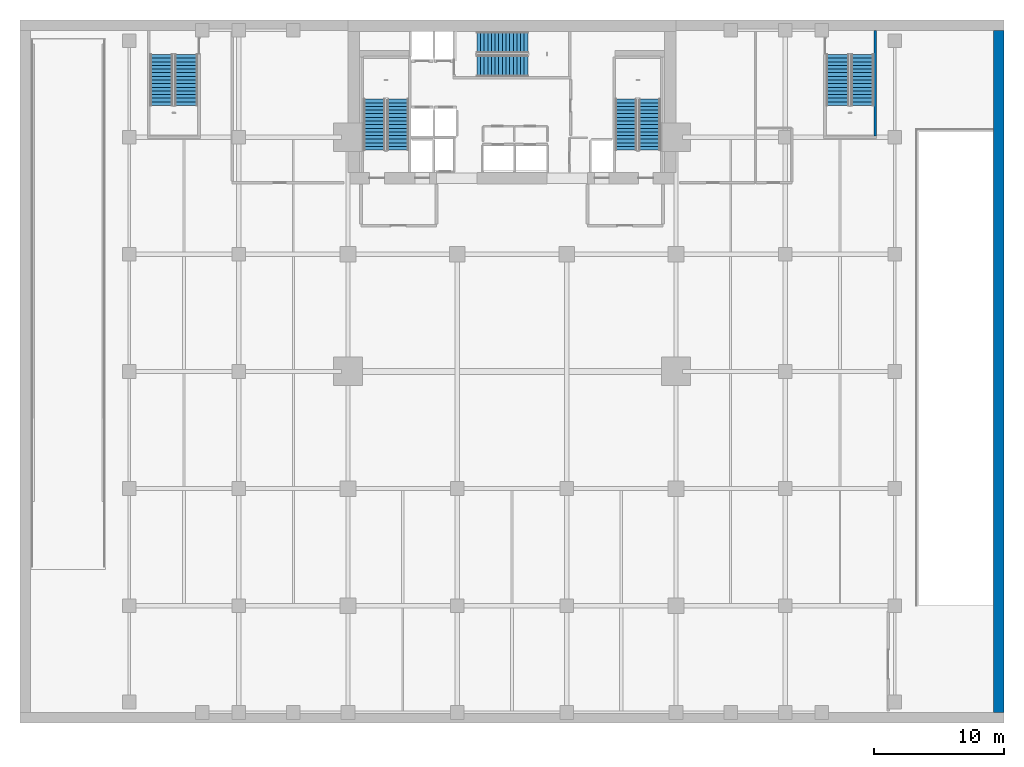
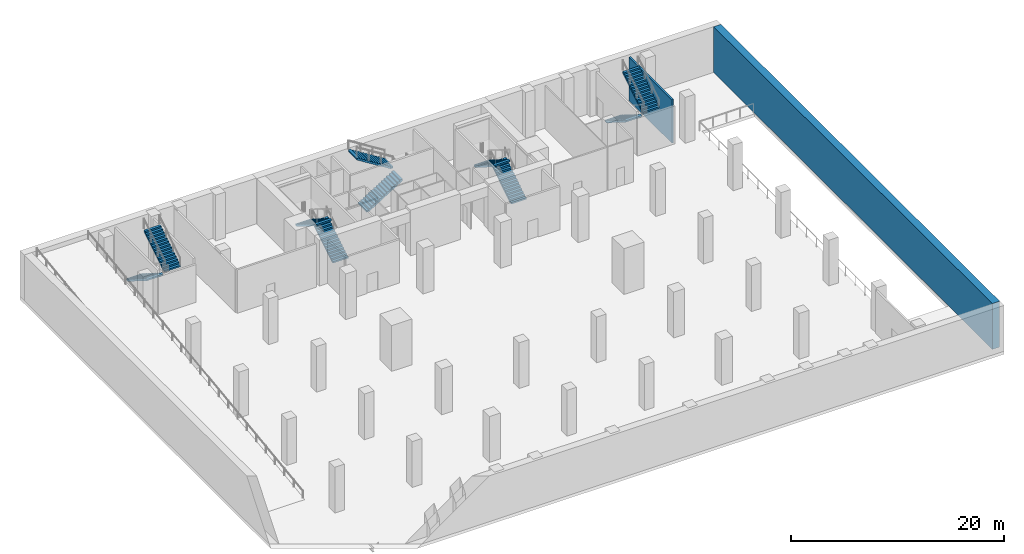
# One storey, part 6 of 10: 10 stair flights, 2 walls, 5 elements without a shape of their own.
"""IFC4 building model written with IfcOpenShell, lengths in metres."""

from ifc_helpers import new_model, si_unit, direction, frame, frame_2d, origin, place, context, subcontext, project, spatial, polyline, rectangle, outline, extrude, material, layer, layer_set, type_object, element, aggregate, save


model = new_model("IFC4")

# Units and contexts
model_context = context("Model", 3, precision=1e-05, world=origin(), true_north=direction((0.0, 1.0)))
body_context = subcontext(model_context, "Body", "Model", "MODEL_VIEW")
ifc_project = project(units=[si_unit("LENGTHUNIT", "METRE"), si_unit("AREAUNIT", "SQUARE_METRE"), si_unit("VOLUMEUNIT", "CUBIC_METRE"), si_unit("PLANEANGLEUNIT", "RADIAN"), si_unit("MASSUNIT", "GRAM", prefix="KILO")], contexts=[model_context])

# Site, building, storey
site_placement = place(None, origin())
site = spatial("IfcSite", under=ifc_project, at=site_placement, CompositionType="ELEMENT")
building_placement = place(site_placement, origin())
building = spatial("IfcBuilding", under=site, at=building_placement, Name="Maruvema Waterfront Hotel and Observation Tower", CompositionType="ELEMENT")
storey_placement = place(building_placement, frame((0.0, 0.0, -5.25)))
storey = spatial("IfcBuildingStorey", under=building, at=storey_placement, Name="B01", CompositionType="ELEMENT", Elevation=-5.25)

# Walls
ifc_material_1 = material(Name="Concrete C60/75", Category="concrete")
ifc_layer_1 = layer(ifc_material_1, 0.800048828125, Name="Basement Retaining Diaphragm Wall 800 mm")
ifc_layer_set_1 = layer_set([ifc_layer_1], Name="Concrete C60/75")
wall_type_1 = type_object("IfcWallType", Name="Basement Retaining Diaphragm Wall 800 mm", PredefinedType="USERDEFINED", material=ifc_layer_set_1)
wall_1_placement = place(storey_placement, frame((75.199951171875, 0.800048828125, 0.0), z_axis=(0.0, 0.0, 1.0), x_axis=(0.0, 1.0, 0.0)))
element("IfcWall", 1, at=wall_1_placement, inside=storey, type_object=wall_type_1, Name="B01 East Retaining Diaphragm Wall 800 mm", ObjectType="RETAINING WALL", PredefinedType="USERDEFINED", context=body_context, shape_type="SweptSolid", body=[
    extrude(rectangle(XDim=52.39990234375, YDim=0.800048828125, at=frame_2d((26.199951171875, 0.0))), origin(), (0.0, 0.0, 1.0), 5.25),
])
ifc_material_2 = material(Name="Precast concrete C45/55", Category="concrete")
ifc_layer_2 = layer(ifc_material_2, 0.199951171875, Name="Core Shaft and Stairwell Enclosure Wall 200 mm")
ifc_layer_set_2 = layer_set([ifc_layer_2], Name="Precast concrete C45/55")
wall_type_2 = type_object("IfcWallType", Name="Core Shaft and Stairwell Enclosure Wall 200 mm", PredefinedType="SOLIDWALL", material=ifc_layer_set_2)
wall_2_placement = place(storey_placement, frame((65.699951171875, 45.10009765625, 0.0), z_axis=(0.0, 0.0, 1.0), x_axis=(0.0, 1.0, 0.0)))
element("IfcWall", 2, at=wall_2_placement, inside=storey, type_object=wall_type_2, Name="B01 Stairwell ST-05 Shaft Wall", PredefinedType="SOLIDWALL", context=body_context, shape_type="SweptSolid", body=[
    extrude(rectangle(XDim=8.099853515625, YDim=0.199951171875, at=frame_2d((4.0498046875, 0.0))), origin(), (0.0, 0.0, 1.0), 4.969970703125),
])

# Stair, stair flights
ifc_material_3 = material(Name="Concrete C50/60", Category="concrete")
stair_type_1 = type_object("IfcStairType", Name="Dogleg Exit Stair 1650 mm (30R x 175.0 mm)", PredefinedType="HALF_TURN_STAIR", material=ifc_material_3)
stair_1_placement = place(storey_placement, origin())
stair_1 = element("IfcStair", 3, at=stair_1_placement, inside=storey, type_object=stair_type_1, Name="B01 ST-01", PredefinedType="HALF_TURN_STAIR")
ifc_material_4 = material(Name="Concrete C50/60", Category="concrete")
stair_flight_type_1 = type_object("IfcStairFlightType", Name="Reinforced Concrete Stair Flight 1650 mm (15R x 175.0 mm)", PredefinedType="STRAIGHT", material=ifc_material_4)
stair_flight_1_placement = place(storey_placement, frame((29.02490234375, 44.0, 0.0), z_axis=(0.0, 0.0, 1.0), x_axis=(0.0, 1.0, 0.0)))
stair_flight_1 = element("IfcStairFlight", 4, at=stair_flight_1_placement, type_object=stair_flight_type_1, Name="ST-01 flight 1", NumberOfRisers=15, NumberOfTreads=14, PredefinedType="STRAIGHT", RiserHeight=0.175, TreadLength=0.28, context=body_context, shape_type="SweptSolid", body=[
    extrude(outline(polyline([(0.0, 0.0), (0.0, 0.175048828125), (0.280029296875, 0.175048828125), (0.280029296875, 0.35009765625), (0.56005859375, 0.35009765625), (0.56005859375, 0.52490234375), (0.840087890625, 0.52490234375), (0.840087890625, 0.699951171875), (1.1201171875, 0.699951171875), (1.1201171875, 0.875), (1.39990234375, 0.875), (1.39990234375, 1.050048828125), (1.679931640625, 1.050048828125), (1.679931640625, 1.22509765625), (1.9599609375, 1.22509765625), (1.9599609375, 1.39990234375), (2.239990234375, 1.39990234375), (2.239990234375, 1.574951171875), (2.52001953125, 1.574951171875), (2.52001953125, 1.75), (2.800048828125, 1.75), (2.800048828125, 1.925048828125), (3.080078125, 1.925048828125), (3.080078125, 2.10009765625), (3.360107421875, 2.10009765625), (3.360107421875, 2.27490234375), (3.639892578125, 2.27490234375), (3.639892578125, 2.449951171875), (3.919921875, 2.449951171875), (3.919921875, 2.625), (3.919921875, 2.273193359375), (0.28271484375, 0.0), (0.0, 0.0)])), frame((0.0, 0.824951171875, 0.0), z_axis=(0.0, -1.0, 0.0), x_axis=(1.0, 0.0, 0.0)), (0.0, 0.0, 1.0), 1.64990234375),
])
stair_flight_2_placement = place(storey_placement, frame((27.22509765625, 47.919921875, 2.625), z_axis=(0.0, 0.0, 1.0), x_axis=(0.0, -1.0, 0.0)))
stair_flight_2 = element("IfcStairFlight", 5, at=stair_flight_2_placement, type_object=stair_flight_type_1, Name="ST-01 flight 2", NumberOfRisers=15, NumberOfTreads=14, PredefinedType="STRAIGHT", RiserHeight=0.175, TreadLength=0.28, context=body_context, shape_type="SweptSolid", body=[
    extrude(outline(polyline([(0.0, 0.0), (0.0, 0.175048828125), (0.280029296875, 0.175048828125), (0.280029296875, 0.35009765625), (0.56005859375, 0.35009765625), (0.56005859375, 0.52490234375), (0.840087890625, 0.52490234375), (0.840087890625, 0.699951171875), (1.1201171875, 0.699951171875), (1.1201171875, 0.875), (1.39990234375, 0.875), (1.39990234375, 1.050048828125), (1.679931640625, 1.050048828125), (1.679931640625, 1.22509765625), (1.9599609375, 1.22509765625), (1.9599609375, 1.39990234375), (2.239990234375, 1.39990234375), (2.239990234375, 1.574951171875), (2.52001953125, 1.574951171875), (2.52001953125, 1.75), (2.800048828125, 1.75), (2.800048828125, 1.925048828125), (3.080078125, 1.925048828125), (3.080078125, 2.10009765625), (3.360107421875, 2.10009765625), (3.360107421875, 2.27490234375), (3.639892578125, 2.27490234375), (3.639892578125, 2.449951171875), (3.919921875, 2.449951171875), (3.919921875, 2.625), (3.919921875, 2.273193359375), (0.28271484375, 0.0), (0.0, 0.0)])), frame((0.0, 0.824951171875, 0.0), z_axis=(0.0, -1.0, 0.0), x_axis=(1.0, 0.0, 0.0)), (0.0, 0.0, 1.0), 1.64990234375),
])
aggregate(stair_1, [stair_flight_1, stair_flight_2])

stair_2_placement = place(storey_placement, origin())
stair_2 = element("IfcStair", 6, at=stair_2_placement, inside=storey, type_object=stair_type_1, Name="B01 ST-02", PredefinedType="HALF_TURN_STAIR")
stair_flight_3_placement = place(storey_placement, frame((35.10009765625, 50.47509765625, 0.0), z_axis=(0.0, 0.0, 1.0), x_axis=(1.0, 0.0, 0.0)))
stair_flight_3 = element("IfcStairFlight", 7, at=stair_flight_3_placement, type_object=stair_flight_type_1, Name="ST-02 flight 1", NumberOfRisers=15, NumberOfTreads=14, PredefinedType="STRAIGHT", RiserHeight=0.175, TreadLength=0.28, context=body_context, shape_type="SweptSolid", body=[
    extrude(outline(polyline([(0.0, 0.0), (0.0, 0.175048828125), (0.280029296875, 0.175048828125), (0.280029296875, 0.35009765625), (0.56005859375, 0.35009765625), (0.56005859375, 0.52490234375), (0.840087890625, 0.52490234375), (0.840087890625, 0.699951171875), (1.1201171875, 0.699951171875), (1.1201171875, 0.875), (1.39990234375, 0.875), (1.39990234375, 1.050048828125), (1.679931640625, 1.050048828125), (1.679931640625, 1.22509765625), (1.9599609375, 1.22509765625), (1.9599609375, 1.39990234375), (2.239990234375, 1.39990234375), (2.239990234375, 1.574951171875), (2.52001953125, 1.574951171875), (2.52001953125, 1.75), (2.800048828125, 1.75), (2.800048828125, 1.925048828125), (3.080078125, 1.925048828125), (3.080078125, 2.10009765625), (3.360107421875, 2.10009765625), (3.360107421875, 2.27490234375), (3.639892578125, 2.27490234375), (3.639892578125, 2.449951171875), (3.919921875, 2.449951171875), (3.919921875, 2.625), (3.919921875, 2.273193359375), (0.28271484375, 0.0), (0.0, 0.0)])), frame((0.0, 0.824951171875, 0.0), z_axis=(0.0, -1.0, 0.0), x_axis=(1.0, 0.0, 0.0)), (0.0, 0.0, 1.0), 1.64990234375),
])
stair_flight_4_placement = place(storey_placement, frame((39.02001953125, 52.27490234375, 2.625), z_axis=(0.0, 0.0, 1.0), x_axis=(-1.0, 0.0, 0.0)))
stair_flight_4 = element("IfcStairFlight", 8, at=stair_flight_4_placement, type_object=stair_flight_type_1, Name="ST-02 flight 2", NumberOfRisers=15, NumberOfTreads=14, PredefinedType="STRAIGHT", RiserHeight=0.175, TreadLength=0.28, context=body_context, shape_type="SweptSolid", body=[
    extrude(outline(polyline([(0.0, 0.0), (0.0, 0.175048828125), (0.280029296875, 0.175048828125), (0.280029296875, 0.35009765625), (0.56005859375, 0.35009765625), (0.56005859375, 0.52490234375), (0.840087890625, 0.52490234375), (0.840087890625, 0.699951171875), (1.1201171875, 0.699951171875), (1.1201171875, 0.875), (1.39990234375, 0.875), (1.39990234375, 1.050048828125), (1.679931640625, 1.050048828125), (1.679931640625, 1.22509765625), (1.9599609375, 1.22509765625), (1.9599609375, 1.39990234375), (2.239990234375, 1.39990234375), (2.239990234375, 1.574951171875), (2.52001953125, 1.574951171875), (2.52001953125, 1.75), (2.800048828125, 1.75), (2.800048828125, 1.925048828125), (3.080078125, 1.925048828125), (3.080078125, 2.10009765625), (3.360107421875, 2.10009765625), (3.360107421875, 2.27490234375), (3.639892578125, 2.27490234375), (3.639892578125, 2.449951171875), (3.919921875, 2.449951171875), (3.919921875, 2.625), (3.919921875, 2.273193359375), (0.28271484375, 0.0), (0.0, 0.0)])), frame((0.0, 0.824951171875, 0.0), z_axis=(0.0, -1.0, 0.0), x_axis=(1.0, 0.0, 0.0)), (0.0, 0.0, 1.0), 1.64990234375),
])
aggregate(stair_2, [stair_flight_3, stair_flight_4])

stair_3_placement = place(storey_placement, origin())
stair_3 = element("IfcStair", 9, at=stair_3_placement, inside=storey, type_object=stair_type_1, Name="B01 ST-03", PredefinedType="HALF_TURN_STAIR")
stair_flight_5_placement = place(storey_placement, frame((48.375, 44.0, 0.0), z_axis=(0.0, 0.0, 1.0), x_axis=(0.0, 1.0, 0.0)))
stair_flight_5 = element("IfcStairFlight", 10, at=stair_flight_5_placement, type_object=stair_flight_type_1, Name="ST-03 flight 1", NumberOfRisers=15, NumberOfTreads=14, PredefinedType="STRAIGHT", RiserHeight=0.175, TreadLength=0.28, context=body_context, shape_type="SweptSolid", body=[
    extrude(outline(polyline([(0.0, 0.0), (0.0, 0.175048828125), (0.280029296875, 0.175048828125), (0.280029296875, 0.35009765625), (0.56005859375, 0.35009765625), (0.56005859375, 0.52490234375), (0.840087890625, 0.52490234375), (0.840087890625, 0.699951171875), (1.1201171875, 0.699951171875), (1.1201171875, 0.875), (1.39990234375, 0.875), (1.39990234375, 1.050048828125), (1.679931640625, 1.050048828125), (1.679931640625, 1.22509765625), (1.9599609375, 1.22509765625), (1.9599609375, 1.39990234375), (2.239990234375, 1.39990234375), (2.239990234375, 1.574951171875), (2.52001953125, 1.574951171875), (2.52001953125, 1.75), (2.800048828125, 1.75), (2.800048828125, 1.925048828125), (3.080078125, 1.925048828125), (3.080078125, 2.10009765625), (3.360107421875, 2.10009765625), (3.360107421875, 2.27490234375), (3.639892578125, 2.27490234375), (3.639892578125, 2.449951171875), (3.919921875, 2.449951171875), (3.919921875, 2.625), (3.919921875, 2.273193359375), (0.28271484375, 0.0), (0.0, 0.0)])), frame((0.0, 0.824951171875, 0.0), z_axis=(0.0, -1.0, 0.0), x_axis=(1.0, 0.0, 0.0)), (0.0, 0.0, 1.0), 1.64990234375),
])
stair_flight_6_placement = place(storey_placement, frame((46.574951171875, 47.919921875, 2.625), z_axis=(0.0, 0.0, 1.0), x_axis=(0.0, -1.0, 0.0)))
stair_flight_6 = element("IfcStairFlight", 11, at=stair_flight_6_placement, type_object=stair_flight_type_1, Name="ST-03 flight 2", NumberOfRisers=15, NumberOfTreads=14, PredefinedType="STRAIGHT", RiserHeight=0.175, TreadLength=0.28, context=body_context, shape_type="SweptSolid", body=[
    extrude(outline(polyline([(0.0, 0.0), (0.0, 0.175048828125), (0.280029296875, 0.175048828125), (0.280029296875, 0.35009765625), (0.56005859375, 0.35009765625), (0.56005859375, 0.52490234375), (0.840087890625, 0.52490234375), (0.840087890625, 0.699951171875), (1.1201171875, 0.699951171875), (1.1201171875, 0.875), (1.39990234375, 0.875), (1.39990234375, 1.050048828125), (1.679931640625, 1.050048828125), (1.679931640625, 1.22509765625), (1.9599609375, 1.22509765625), (1.9599609375, 1.39990234375), (2.239990234375, 1.39990234375), (2.239990234375, 1.574951171875), (2.52001953125, 1.574951171875), (2.52001953125, 1.75), (2.800048828125, 1.75), (2.800048828125, 1.925048828125), (3.080078125, 1.925048828125), (3.080078125, 2.10009765625), (3.360107421875, 2.10009765625), (3.360107421875, 2.27490234375), (3.639892578125, 2.27490234375), (3.639892578125, 2.449951171875), (3.919921875, 2.449951171875), (3.919921875, 2.625), (3.919921875, 2.273193359375), (0.28271484375, 0.0), (0.0, 0.0)])), frame((0.0, 0.824951171875, 0.0), z_axis=(0.0, -1.0, 0.0), x_axis=(1.0, 0.0, 0.0)), (0.0, 0.0, 1.0), 1.64990234375),
])
aggregate(stair_3, [stair_flight_5, stair_flight_6])

ifc_material_5 = material(Name="Concrete C50/60", Category="concrete")
stair_type_2 = type_object("IfcStairType", Name="Dogleg Exit Stair 1750 mm (30R x 175.0 mm)", PredefinedType="HALF_TURN_STAIR", material=ifc_material_5)
stair_4_placement = place(storey_placement, origin())
stair_4 = element("IfcStair", 12, at=stair_4_placement, inside=storey, type_object=stair_type_2, Name="B01 ST-04", PredefinedType="HALF_TURN_STAIR")
ifc_material_6 = material(Name="Concrete C50/60", Category="concrete")
stair_flight_type_2 = type_object("IfcStairFlightType", Name="Reinforced Concrete Stair Flight 1750 mm (15R x 175.0 mm)", PredefinedType="STRAIGHT", material=ifc_material_6)
stair_flight_7_placement = place(storey_placement, frame((10.875, 51.35009765625, 0.0), z_axis=(0.0, 0.0, 1.0), x_axis=(0.0, -1.0, 0.0)))
stair_flight_7 = element("IfcStairFlight", 13, at=stair_flight_7_placement, type_object=stair_flight_type_2, Name="ST-04 flight 1", NumberOfRisers=15, NumberOfTreads=14, PredefinedType="STRAIGHT", RiserHeight=0.175, TreadLength=0.28, context=body_context, shape_type="SweptSolid", body=[
    extrude(outline(polyline([(0.0, 0.0), (0.0, 0.175048828125), (0.280029296875, 0.175048828125), (0.280029296875, 0.35009765625), (0.56005859375, 0.35009765625), (0.56005859375, 0.52490234375), (0.840087890625, 0.52490234375), (0.840087890625, 0.699951171875), (1.1201171875, 0.699951171875), (1.1201171875, 0.875), (1.39990234375, 0.875), (1.39990234375, 1.050048828125), (1.679931640625, 1.050048828125), (1.679931640625, 1.22509765625), (1.9599609375, 1.22509765625), (1.9599609375, 1.39990234375), (2.239990234375, 1.39990234375), (2.239990234375, 1.574951171875), (2.52001953125, 1.574951171875), (2.52001953125, 1.75), (2.800048828125, 1.75), (2.800048828125, 1.925048828125), (3.080078125, 1.925048828125), (3.080078125, 2.10009765625), (3.360107421875, 2.10009765625), (3.360107421875, 2.27490234375), (3.639892578125, 2.27490234375), (3.639892578125, 2.449951171875), (3.919921875, 2.449951171875), (3.919921875, 2.625), (3.919921875, 2.273193359375), (0.28271484375, 0.0), (0.0, 0.0)])), frame((0.0, 0.875, 0.0), z_axis=(0.0, -1.0, 0.0), x_axis=(1.0, 0.0, 0.0)), (0.0, 0.0, 1.0), 1.75),
])
stair_flight_8_placement = place(storey_placement, frame((12.77490234375, 47.429931640625, 2.625), z_axis=(0.0, 0.0, 1.0), x_axis=(0.0, 1.0, 0.0)))
stair_flight_8 = element("IfcStairFlight", 14, at=stair_flight_8_placement, type_object=stair_flight_type_2, Name="ST-04 flight 2", NumberOfRisers=15, NumberOfTreads=14, PredefinedType="STRAIGHT", RiserHeight=0.175, TreadLength=0.28, context=body_context, shape_type="SweptSolid", body=[
    extrude(outline(polyline([(0.0, 0.0), (0.0, 0.175048828125), (0.280029296875, 0.175048828125), (0.280029296875, 0.35009765625), (0.56005859375, 0.35009765625), (0.56005859375, 0.52490234375), (0.840087890625, 0.52490234375), (0.840087890625, 0.699951171875), (1.1201171875, 0.699951171875), (1.1201171875, 0.875), (1.39990234375, 0.875), (1.39990234375, 1.050048828125), (1.679931640625, 1.050048828125), (1.679931640625, 1.22509765625), (1.9599609375, 1.22509765625), (1.9599609375, 1.39990234375), (2.239990234375, 1.39990234375), (2.239990234375, 1.574951171875), (2.52001953125, 1.574951171875), (2.52001953125, 1.75), (2.800048828125, 1.75), (2.800048828125, 1.925048828125), (3.080078125, 1.925048828125), (3.080078125, 2.10009765625), (3.360107421875, 2.10009765625), (3.360107421875, 2.27490234375), (3.639892578125, 2.27490234375), (3.639892578125, 2.449951171875), (3.919921875, 2.449951171875), (3.919921875, 2.625), (3.919921875, 2.273193359375), (0.28271484375, 0.0), (0.0, 0.0)])), frame((0.0, 0.875, 0.0), z_axis=(0.0, -1.0, 0.0), x_axis=(1.0, 0.0, 0.0)), (0.0, 0.0, 1.0), 1.75),
])
aggregate(stair_4, [stair_flight_7, stair_flight_8])

stair_5_placement = place(storey_placement, origin())
stair_5 = element("IfcStair", 15, at=stair_5_placement, inside=storey, type_object=stair_type_2, Name="B01 ST-05", PredefinedType="HALF_TURN_STAIR")
stair_flight_9_placement = place(storey_placement, frame((62.824951171875, 51.35009765625, 0.0), z_axis=(0.0, 0.0, 1.0), x_axis=(0.0, -1.0, 0.0)))
stair_flight_9 = element("IfcStairFlight", 16, at=stair_flight_9_placement, type_object=stair_flight_type_2, Name="ST-05 flight 1", NumberOfRisers=15, NumberOfTreads=14, PredefinedType="STRAIGHT", RiserHeight=0.175, TreadLength=0.28, context=body_context, shape_type="SweptSolid", body=[
    extrude(outline(polyline([(0.0, 0.0), (0.0, 0.175048828125), (0.280029296875, 0.175048828125), (0.280029296875, 0.35009765625), (0.56005859375, 0.35009765625), (0.56005859375, 0.52490234375), (0.840087890625, 0.52490234375), (0.840087890625, 0.699951171875), (1.1201171875, 0.699951171875), (1.1201171875, 0.875), (1.39990234375, 0.875), (1.39990234375, 1.050048828125), (1.679931640625, 1.050048828125), (1.679931640625, 1.22509765625), (1.9599609375, 1.22509765625), (1.9599609375, 1.39990234375), (2.239990234375, 1.39990234375), (2.239990234375, 1.574951171875), (2.52001953125, 1.574951171875), (2.52001953125, 1.75), (2.800048828125, 1.75), (2.800048828125, 1.925048828125), (3.080078125, 1.925048828125), (3.080078125, 2.10009765625), (3.360107421875, 2.10009765625), (3.360107421875, 2.27490234375), (3.639892578125, 2.27490234375), (3.639892578125, 2.449951171875), (3.919921875, 2.449951171875), (3.919921875, 2.625), (3.919921875, 2.273193359375), (0.28271484375, 0.0), (0.0, 0.0)])), frame((0.0, 0.875, 0.0), z_axis=(0.0, -1.0, 0.0), x_axis=(1.0, 0.0, 0.0)), (0.0, 0.0, 1.0), 1.75),
])
stair_flight_10_placement = place(storey_placement, frame((64.72509765625, 47.429931640625, 2.625), z_axis=(0.0, 0.0, 1.0), x_axis=(0.0, 1.0, 0.0)))
stair_flight_10 = element("IfcStairFlight", 17, at=stair_flight_10_placement, type_object=stair_flight_type_2, Name="ST-05 flight 2", NumberOfRisers=15, NumberOfTreads=14, PredefinedType="STRAIGHT", RiserHeight=0.175, TreadLength=0.28, context=body_context, shape_type="SweptSolid", body=[
    extrude(outline(polyline([(0.0, 0.0), (0.0, 0.175048828125), (0.280029296875, 0.175048828125), (0.280029296875, 0.35009765625), (0.56005859375, 0.35009765625), (0.56005859375, 0.52490234375), (0.840087890625, 0.52490234375), (0.840087890625, 0.699951171875), (1.1201171875, 0.699951171875), (1.1201171875, 0.875), (1.39990234375, 0.875), (1.39990234375, 1.050048828125), (1.679931640625, 1.050048828125), (1.679931640625, 1.22509765625), (1.9599609375, 1.22509765625), (1.9599609375, 1.39990234375), (2.239990234375, 1.39990234375), (2.239990234375, 1.574951171875), (2.52001953125, 1.574951171875), (2.52001953125, 1.75), (2.800048828125, 1.75), (2.800048828125, 1.925048828125), (3.080078125, 1.925048828125), (3.080078125, 2.10009765625), (3.360107421875, 2.10009765625), (3.360107421875, 2.27490234375), (3.639892578125, 2.27490234375), (3.639892578125, 2.449951171875), (3.919921875, 2.449951171875), (3.919921875, 2.625), (3.919921875, 2.273193359375), (0.28271484375, 0.0), (0.0, 0.0)])), frame((0.0, 0.875, 0.0), z_axis=(0.0, -1.0, 0.0), x_axis=(1.0, 0.0, 0.0)), (0.0, 0.0, 1.0), 1.75),
])
aggregate(stair_5, [stair_flight_9, stair_flight_10])

save(model, "model.ifc")
